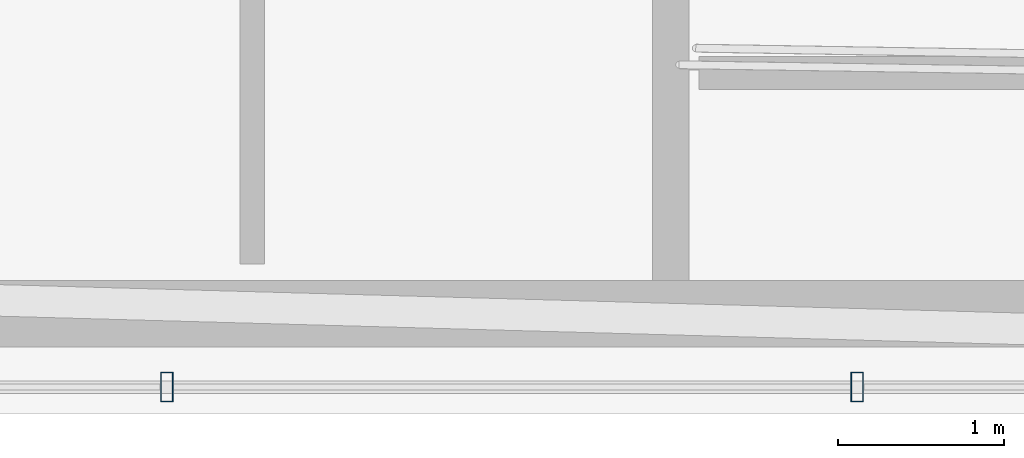
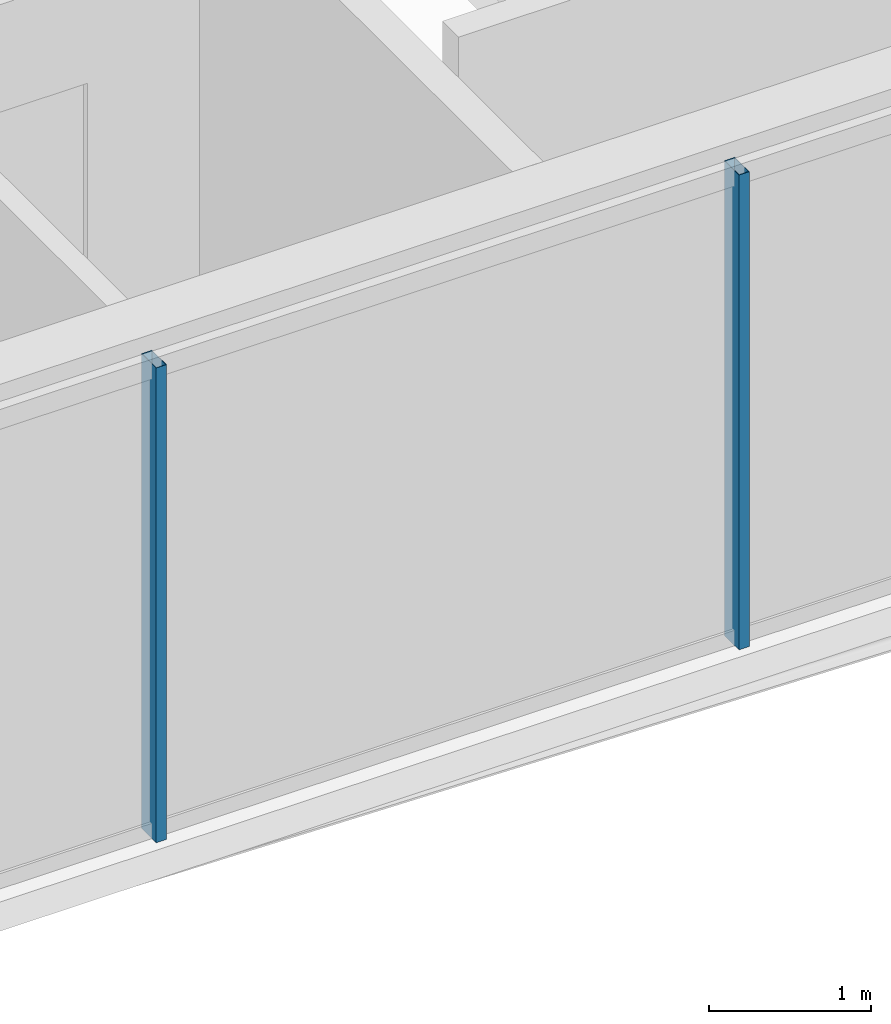
# One storey, part 7 of 35: 2 members, 1 element without a shape of its own.
"""IFC4 building model written with IfcOpenShell, lengths in metres."""

from ifc_helpers import new_model, si_unit, direction, frame, origin, origin_2d, place, context, subcontext, project, spatial, hollow_rectangle, extrude, material, layer, layer_set, material_profile, profile_set, type_object, element, aggregate, save


model = new_model("IFC4")

# Units and contexts
model_context = context("Model", 3, precision=1e-05, world=origin(), true_north=direction((0.0, 1.0)))
body_context = subcontext(model_context, "Body", "Model", "MODEL_VIEW")
ifc_project = project(units=[si_unit("LENGTHUNIT", "METRE"), si_unit("AREAUNIT", "SQUARE_METRE"), si_unit("VOLUMEUNIT", "CUBIC_METRE"), si_unit("PLANEANGLEUNIT", "RADIAN"), si_unit("MASSUNIT", "GRAM", prefix="KILO")], contexts=[model_context])

# Site, building, storey
site_placement = place(None, origin())
site = spatial("IfcSite", under=ifc_project, at=site_placement, CompositionType="ELEMENT")
building_placement = place(site_placement, origin())
building = spatial("IfcBuilding", under=site, at=building_placement, Name="Ndaravel Arena Tower", CompositionType="ELEMENT")
storey_placement = place(building_placement, frame((0.0, 0.0, 180.199951171875)))
storey = spatial("IfcBuildingStorey", under=building, at=storey_placement, Name="L43", CompositionType="ELEMENT", Elevation=180.199951171875)

# Curtain wall, members
ifc_material_1 = material(Name="Aluminium", Category="aluminium")
ifc_layer = layer(ifc_material_1, 0.179931640625)
ifc_layer_set = layer_set([ifc_layer], Name="Aluminium")
curtain_wall_type = type_object("IfcCurtainWallType", Name="CW-SYS-03", PredefinedType="NOTDEFINED", material=ifc_layer_set)
curtain_wall_placement = place(storey_placement, origin())
curtain_wall = element("IfcCurtainWall", 1, at=curtain_wall_placement, inside=storey, type_object=curtain_wall_type, Name="L43 Faceted Crystal Curtain Wall CW-L43-E01", PredefinedType="NOTDEFINED")
ifc_material_2 = material(Name="Aluminium", Category="aluminium")
ifc_material_profile = material_profile(ifc_material_2, hollow_rectangle(XDim=0.074951171875, YDim=0.179931640625, WallThickness=0.00390625, at=origin_2d()), Name="CW MULLION 75x180x4")
ifc_profile_set = profile_set([ifc_material_profile], Name="Aluminium")
member_type = type_object("IfcMemberType", Name="MEM-CW-MUL180", PredefinedType="MULLION", material=ifc_profile_set)
member_1_placement = place(storey_placement, frame((35.765380859375, 5.159912109375, 0.0), z_axis=(0.0, 0.0, 1.0), x_axis=(1.0, 0.0, 0.0)))
member_1 = element("IfcMember", 2, at=member_1_placement, type_object=member_type, Name="CW-L43-E01 Mullion 03", PredefinedType="MULLION", context=body_context, shape_type="SweptSolid", body=[
    extrude(hollow_rectangle(XDim=0.074951171875, YDim=0.179931640625, WallThickness=0.00390625, at=origin_2d()), origin(), (0.0, 0.0, 1.0), 3.580078125),
])
member_2_placement = place(storey_placement, frame((39.921875, 5.159912109375, 0.0), z_axis=(0.0, 0.0, 1.0), x_axis=(1.0, 0.0, 0.0)))
member_2 = element("IfcMember", 3, at=member_2_placement, type_object=member_type, Name="CW-L43-E01 Mullion 04", PredefinedType="MULLION", context=body_context, shape_type="SweptSolid", body=[
    extrude(hollow_rectangle(XDim=0.074951171875, YDim=0.179931640625, WallThickness=0.00390625, at=origin_2d()), origin(), (0.0, 0.0, 1.0), 3.580078125),
])
aggregate(curtain_wall, [member_1, member_2])

save(model, "model.ifc")
